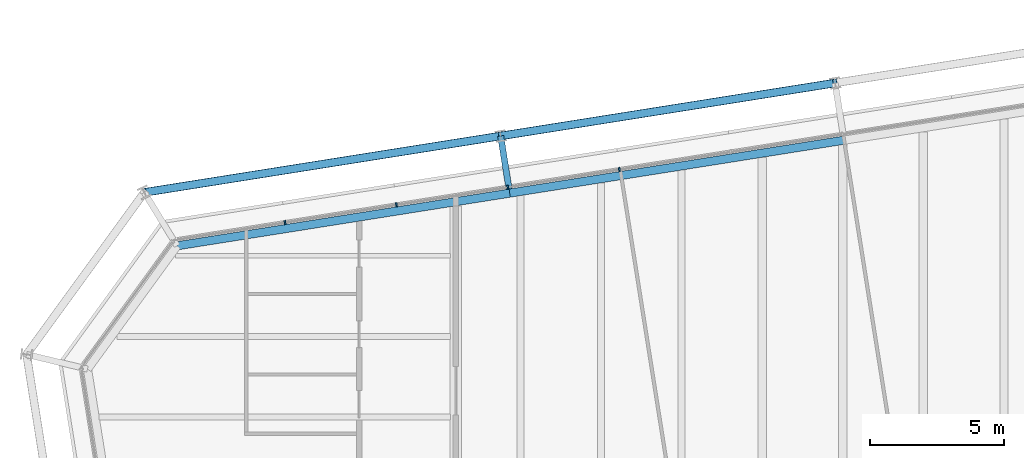
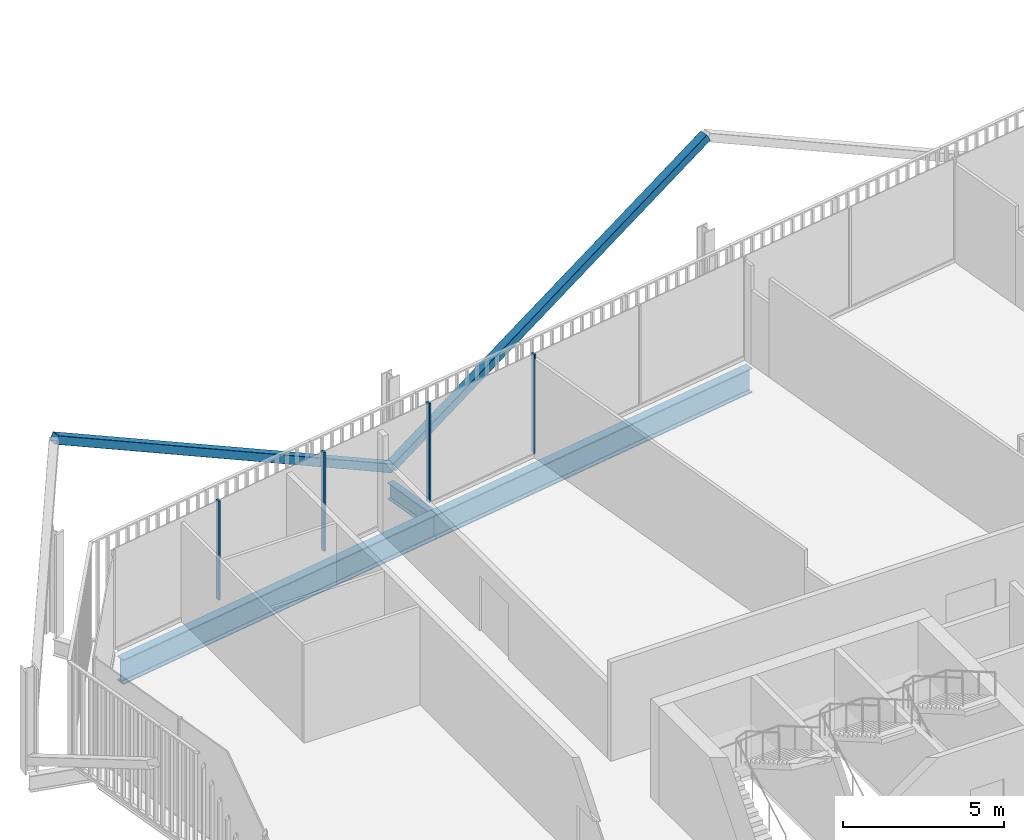
# One storey, part 13 of 21: 6 members, 3 beams, 1 element without a shape of its own.
"""IFC4 building model written with IfcOpenShell, lengths in metres."""

from ifc_helpers import new_model, si_unit, direction, frame, origin, origin_2d, place, context, subcontext, project, spatial, rectangle, hollow_rectangle, i_section, extrude, material, layer, layer_set, material_profile, profile_set, type_object, element, aggregate, save


model = new_model("IFC4")

# Units and contexts
model_context = context("Model", 3, precision=1e-05, world=origin(), true_north=direction((0.0, 1.0)))
body_context = subcontext(model_context, "Body", "Model", "MODEL_VIEW")
ifc_project = project(units=[si_unit("LENGTHUNIT", "METRE"), si_unit("AREAUNIT", "SQUARE_METRE"), si_unit("VOLUMEUNIT", "CUBIC_METRE"), si_unit("PLANEANGLEUNIT", "RADIAN"), si_unit("MASSUNIT", "GRAM", prefix="KILO")], contexts=[model_context])

# Site, building, storey
site_placement = place(None, origin())
site = spatial("IfcSite", under=ifc_project, at=site_placement, CompositionType="ELEMENT")
building_placement = place(site_placement, origin())
building = spatial("IfcBuilding", under=site, at=building_placement, Name="Millrace Tower", CompositionType="ELEMENT")
storey_placement = place(building_placement, frame((0.0, 0.0, 247.39990234375)))
storey = spatial("IfcBuildingStorey", under=building, at=storey_placement, Name="L56", CompositionType="ELEMENT", Elevation=247.39990234375)

# Curtain wall, members
ifc_material_1 = material(Name="Aluminium and glass", Category="aluminium")
ifc_layer = layer(ifc_material_1, 0.14990234375)
ifc_layer_set = layer_set([ifc_layer], Name="Aluminium and glass")
curtain_wall_type = type_object("IfcCurtainWallType", Name="CW-1 office vision curtain wall", PredefinedType="NOTDEFINED", material=ifc_layer_set)
curtain_wall_placement = place(storey_placement, origin())
curtain_wall = element("IfcCurtainWall", 1, at=curtain_wall_placement, inside=storey, type_object=curtain_wall_type, Name="Curtain wall D-F06 L56", PredefinedType="NOTDEFINED")
ifc_material_2 = material(Name="Aluminium", Category="aluminium")
ifc_material_profile_1 = material_profile(ifc_material_2, rectangle(XDim=0.06494140625, YDim=0.14990234375, at=origin_2d()))
ifc_profile_set_1 = profile_set([ifc_material_profile_1], Name="Aluminium")
member_type_1 = type_object("IfcMemberType", Name="CW-1 office vision curtain wall mullion", PredefinedType="MULLION", material=ifc_profile_set_1)
member_1_placement = place(storey_placement, frame((-8.31591796875, 27.207275390625, 0.14013671875), z_axis=(0.0, 0.0, 1.0), x_axis=(-0.987688339511, -0.156434471884, 0.0)))
member_1 = element("IfcMember", 2, at=member_1_placement, type_object=member_type_1, Name="CW1 mullion D-F06.6", PredefinedType="MULLION", context=body_context, shape_type="SweptSolid", body=[
    extrude(rectangle(XDim=0.06494140625, YDim=0.14990234375, at=origin_2d()), origin(), (0.0, 0.0, 1.0), 3.760009765625),
])
member_2_placement = place(storey_placement, frame((-12.46435546875, 26.55029296875, 0.14013671875), z_axis=(0.0, 0.0, 1.0), x_axis=(-0.987688339511, -0.156434471884, 0.0)))
member_2 = element("IfcMember", 3, at=member_2_placement, type_object=member_type_1, Name="CW1 mullion D-F06.7", PredefinedType="MULLION", context=body_context, shape_type="SweptSolid", body=[
    extrude(rectangle(XDim=0.06494140625, YDim=0.14990234375, at=origin_2d()), origin(), (0.0, 0.0, 1.0), 3.760009765625),
])
member_3_placement = place(storey_placement, frame((-16.612548828125, 25.893310546875, 0.14013671875), z_axis=(0.0, 0.0, 1.0), x_axis=(-0.987688339511, -0.156434471884, 0.0)))
member_3 = element("IfcMember", 4, at=member_3_placement, type_object=member_type_1, Name="CW1 mullion D-F06.8", PredefinedType="MULLION", context=body_context, shape_type="SweptSolid", body=[
    extrude(rectangle(XDim=0.06494140625, YDim=0.14990234375, at=origin_2d()), origin(), (0.0, 0.0, 1.0), 3.760009765625),
])
member_4_placement = place(storey_placement, frame((-20.7607421875, 25.236328125, 0.14013671875), z_axis=(0.0, 0.0, 1.0), x_axis=(-0.987688339511, -0.156434471884, 0.0)))
member_4 = element("IfcMember", 5, at=member_4_placement, type_object=member_type_1, Name="CW1 mullion D-F06.9", PredefinedType="MULLION", context=body_context, shape_type="SweptSolid", body=[
    extrude(rectangle(XDim=0.06494140625, YDim=0.14990234375, at=origin_2d()), origin(), (0.0, 0.0, 1.0), 3.760009765625),
])
aggregate(curtain_wall, [member_1, member_2, member_3, member_4])

# Members
ifc_material_3 = material(Name="Steel ASTM A500 Grade C", Category="steel")
ifc_material_profile_2 = material_profile(ifc_material_3, hollow_rectangle(XDim=0.3046875, YDim=0.3046875, WallThickness=0.009521484375, InnerFilletRadius=0.004638671875, OuterFilletRadius=0.014404296875, at=origin_2d()))
ifc_profile_set_2 = profile_set([ifc_material_profile_2], Name="Steel ASTM A500 Grade C")
member_type_2 = type_object("IfcMemberType", Name="Exoskeleton brace HSS12x12x3/8", PredefinedType="BRACE", material=ifc_profile_set_2)
member_5_placement = place(storey_placement, frame((-12.7333984375, 28.456787109375, 0.400146484375), z_axis=(0.86339943803, 0.136738080691, 0.485637835943), x_axis=(-0.156422238477, 0.987690277015, 0.0)))
element("IfcMember", 6, at=member_5_placement, inside=storey, type_object=member_type_2, Name="BRC-D-L56-11", PredefinedType="BRACE", context=body_context, shape_type="SweptSolid", body=[
    extrude(hollow_rectangle(XDim=0.3046875, YDim=0.3046875, WallThickness=0.009521484375, InnerFilletRadius=0.004638671875, OuterFilletRadius=0.014404296875, at=origin_2d()), origin(), (0.0, 0.0, 1.0), 14.4140625),
])
member_6_placement = place(storey_placement, frame((-12.7333984375, 28.456787109375, 0.400146484375), z_axis=(-0.875829804371, -0.138730151249, 0.462251121048), x_axis=(0.156448038127, -0.987686190734, 0.0)))
element("IfcMember", 7, at=member_6_placement, inside=storey, type_object=member_type_2, Name="BRC-D-L56-12", PredefinedType="BRACE", context=body_context, shape_type="SweptSolid", body=[
    extrude(hollow_rectangle(XDim=0.3046875, YDim=0.3046875, WallThickness=0.009521484375, InnerFilletRadius=0.004638671875, OuterFilletRadius=0.014404296875, at=origin_2d()), origin(), (0.0, 0.0, 1.0), 15.143310546875),
])

# Beams
ifc_material_4 = material(Name="Steel ASTM A992 Grade 50", Category="steel")
ifc_material_profile_3 = material_profile(ifc_material_4, i_section(OverallWidth=0.23046875, OverallDepth=0.6171875, WebThickness=0.01318359375, FlangeThickness=0.022216796875, FilletRadius=0.012939453125, at=origin_2d()))
ifc_profile_set_3 = profile_set([ifc_material_profile_3], Name="Steel ASTM A992 Grade 50")
beam_type_1 = type_object("IfcBeamType", Name="Link beam W24x94", PredefinedType="BEAM", material=ifc_profile_set_3)
beam_1_placement = place(storey_placement, frame((-12.42041015625, 26.481201171875, -0.468505859375), z_axis=(-0.156476509441, 0.987681680499, 0.0), x_axis=(-0.987681680499, -0.156476509441, 0.0)))
element("IfcBeam", 8, at=beam_1_placement, inside=storey, type_object=beam_type_1, Name="LNK-D-L56-S1-06", PredefinedType="BEAM", context=body_context, shape_type="SweptSolid", body=[
    extrude(i_section(OverallWidth=0.23046875, OverallDepth=0.6171875, WebThickness=0.01318359375, FlangeThickness=0.022216796875, FilletRadius=0.012939453125, at=origin_2d()), origin(), (0.0, 0.0, 1.0), 2.000244140625),
])
ifc_material_5 = material(Name="Steel ASTM A992 Grade 50", Category="steel")
ifc_material_profile_4 = material_profile(ifc_material_5, i_section(OverallWidth=0.307373046875, OverallDepth=0.927001953125, WebThickness=0.01953125, FlangeThickness=0.031982421875, FilletRadius=0.01904296875, at=origin_2d()))
ifc_profile_set_4 = profile_set([ifc_material_profile_4], Name="Steel ASTM A992 Grade 50")
beam_type_2 = type_object("IfcBeamType", Name="Ring beam medium span W36x194", PredefinedType="SPANDREL", material=ifc_profile_set_4)
beam_2_placement = place(storey_placement, frame((-24.7783203125, 24.368408203125, -0.62353515625), z_axis=(0.987687213011, 0.156441584157, 0.0), x_axis=(-0.156441584157, 0.987687213011, 0.0)))
element("IfcBeam", 9, at=beam_2_placement, inside=storey, type_object=beam_type_2, Name="RNG-D-L56-S1-05", PredefinedType="SPANDREL", context=body_context, shape_type="SweptSolid", body=[
    extrude(i_section(OverallWidth=0.307373046875, OverallDepth=0.927001953125, WebThickness=0.01953125, FlangeThickness=0.031982421875, FilletRadius=0.01904296875, at=origin_2d()), origin(), (0.0, 0.0, 1.0), 12.5361328125),
])
beam_3_placement = place(storey_placement, frame((-12.396484375, 26.32958984375, -0.62353515625), z_axis=(0.987690277015, 0.156422238477, 0.0), x_axis=(-0.156422238477, 0.987690277015, 0.0)))
element("IfcBeam", 10, at=beam_3_placement, inside=storey, type_object=beam_type_2, Name="RNG-D-L56-S1-06", PredefinedType="SPANDREL", context=body_context, shape_type="SweptSolid", body=[
    extrude(i_section(OverallWidth=0.307373046875, OverallDepth=0.927001953125, WebThickness=0.01953125, FlangeThickness=0.031982421875, FilletRadius=0.01904296875, at=origin_2d()), origin(), (0.0, 0.0, 1.0), 12.60009765625),
])

save(model, "model.ifc")
